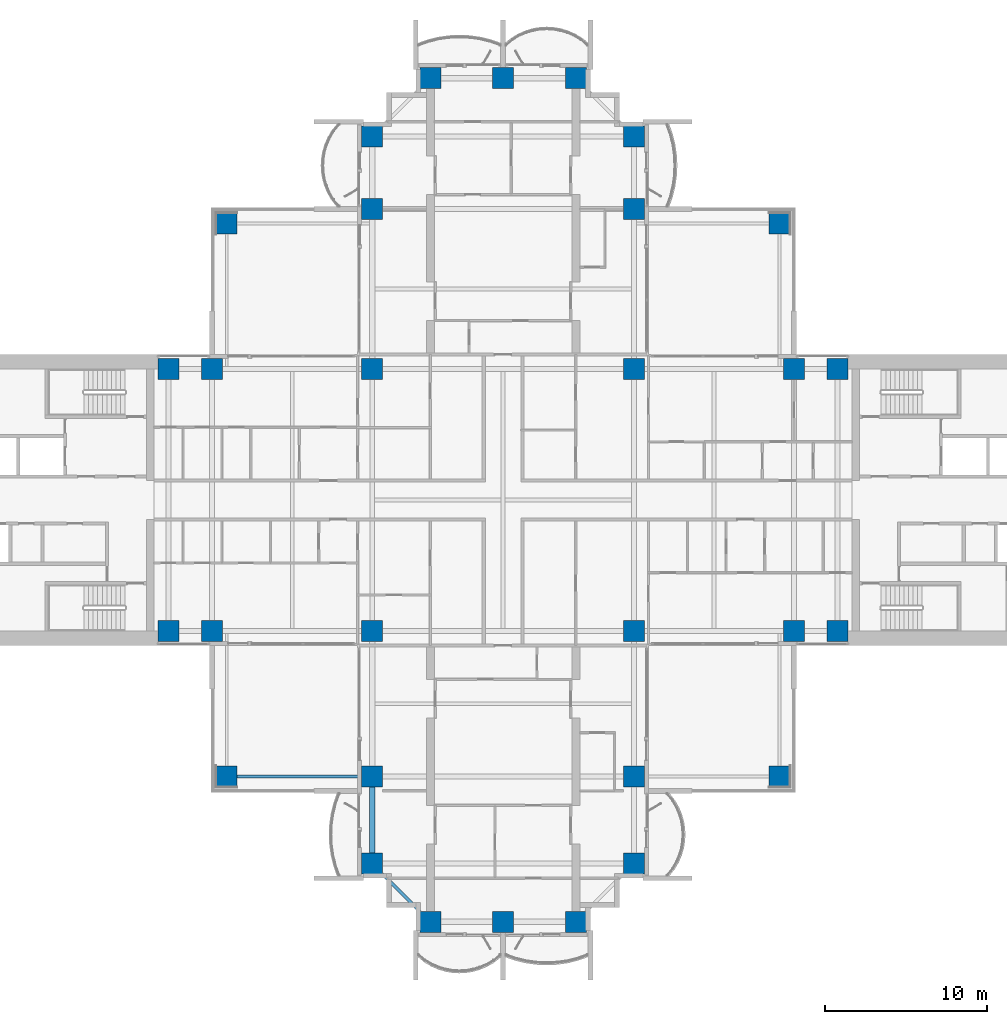
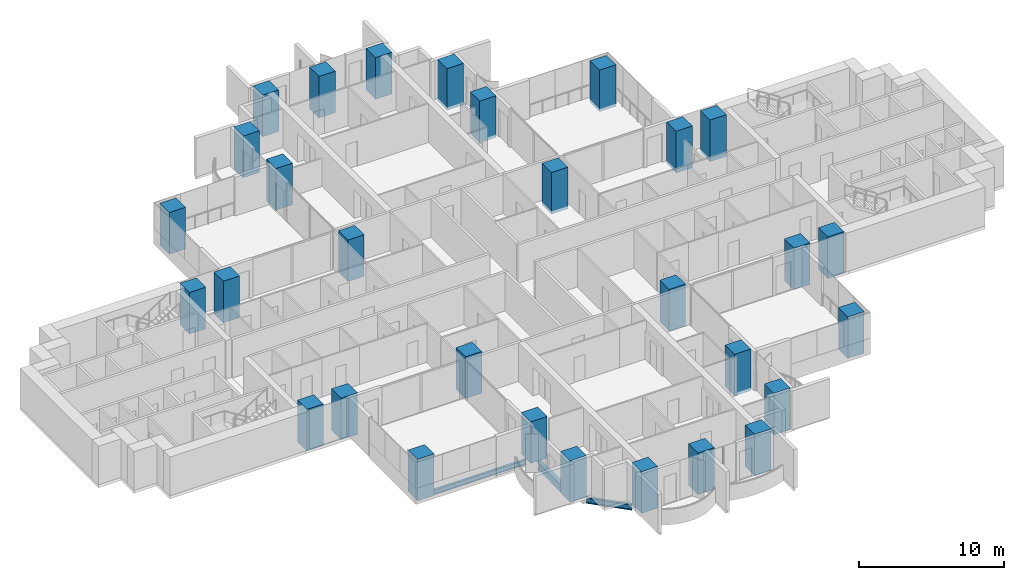
# One storey, part 1 of 20: 30 columns, 3 beams.
"""IFC4 building model written with IfcOpenShell, lengths in metres."""

from ifc_helpers import new_model, si_unit, direction, frame, origin, origin_2d, place, context, subcontext, project, spatial, rectangle, i_section, extrude, material, material_profile, profile_set, type_object, element, save


model = new_model("IFC4")

# Units and contexts
model_context = context("Model", 3, precision=1e-05, world=origin(), true_north=direction((0.0, 1.0)))
body_context = subcontext(model_context, "Body", "Model", "MODEL_VIEW")
ifc_project = project(units=[si_unit("LENGTHUNIT", "METRE"), si_unit("AREAUNIT", "SQUARE_METRE"), si_unit("VOLUMEUNIT", "CUBIC_METRE"), si_unit("PLANEANGLEUNIT", "RADIAN"), si_unit("MASSUNIT", "GRAM", prefix="KILO")], contexts=[model_context])

# Site, building, storey
site_placement = place(None, origin())
site = spatial("IfcSite", under=ifc_project, at=site_placement, CompositionType="ELEMENT")
building_placement = place(site_placement, origin())
building = spatial("IfcBuilding", under=site, at=building_placement, Name="Perihelion Cross Residences", CompositionType="ELEMENT")
storey_placement = place(building_placement, frame((0.0, 0.0, 68.0)))
storey = spatial("IfcBuildingStorey", under=building, at=storey_placement, Name="L14", CompositionType="ELEMENT", Elevation=68.0)

# Columns
ifc_material_1 = material(Name="Concrete C70/85", Category="concrete")
ifc_material_profile_1 = material_profile(ifc_material_1, rectangle(XDim=1.300048828125, YDim=1.300048828125, at=origin_2d()), Name="RC 1300x1300")
ifc_profile_set_1 = profile_set([ifc_material_profile_1], Name="Concrete C70/85")
column_type = type_object("IfcColumnType", Name="Reinforced concrete column 1300x1300 C70/85", PredefinedType="COLUMN", material=ifc_profile_set_1)
for number, where, z_axis, x_axis, name in (
    (1, (-20.699951171875, -8.10009765625, -0.25), (0.0, 0.0, 1.0), (1.0, 0.0, 0.0), "Column C017 L14 no. 1"),
    (2, (-20.699951171875, 8.10009765625, -0.25), (0.0, 0.0, 1.0), (1.0, 0.0, 0.0), "Column C010 L14 no. 1"),
    (3, (-18.0, -8.10009765625, -0.25), (0.0, 0.0, 1.0), (1.0, 0.0, 0.0), "Column C018 L14 no. 1"),
    (4, (-18.0, 8.10009765625, -0.25), (0.0, 0.0, 1.0), (1.0, 0.0, 0.0), "Column C011 L14 no. 1"),
    (5, (-8.10009765625, -22.5, -0.25), (0.0, 0.0, 1.0), (1.0, 0.0, 0.0), "Column C040 L14 no. 1"),
    (6, (-8.10009765625, -17.10009765625, -0.25), (0.0, 0.0, 1.0), (1.0, 0.0, 0.0), "Column C031 L14 no. 1"),
    (7, (-8.10009765625, -8.10009765625, -0.25), (0.0, 0.0, 1.0), (1.0, 0.0, 0.0), "Column C019 L14 no. 1"),
    (8, (-8.10009765625, 8.10009765625, -0.25), (0.0, 0.0, 1.0), (1.0, 0.0, 0.0), "Column C012 L14 no. 1"),
    (9, (-8.10009765625, 18.0, -0.25), (0.0, 0.0, 1.0), (1.0, 0.0, 0.0), "Column C006 L14 no. 1"),
    (10, (-8.10009765625, 22.5, -0.25), (0.0, 0.0, 1.0), (1.0, 0.0, 0.0), "Column C004 L14 no. 1"),
    (11, (-4.5, -26.10009765625, -0.25), (0.0, 0.0, 1.0), (1.0, 0.0, 0.0), "Column C042 L14 no. 1"),
    (12, (-4.5, 26.10009765625, -0.25), (0.0, 0.0, 1.0), (1.0, 0.0, 0.0), "Column C001 L14 no. 1"),
    (13, (0.0, -26.10009765625, -0.25), (0.0, 0.0, 1.0), (1.0, 0.0, 0.0), "Column C043 L14 no. 1"),
    (14, (0.0, 26.10009765625, -0.25), (0.0, 0.0, 1.0), (1.0, 0.0, 0.0), "Column C002 L14 no. 1"),
    (15, (4.5, -26.10009765625, -0.25), (0.0, 0.0, 1.0), (1.0, 0.0, 0.0), "Column C044 L14 no. 1"),
    (16, (4.5, 26.10009765625, -0.25), (0.0, 0.0, 1.0), (1.0, 0.0, 0.0), "Column C003 L14 no. 1"),
    (17, (8.10009765625, -22.5, -0.25), (0.0, 0.0, 1.0), (1.0, 0.0, 0.0), "Column C041 L14 no. 1"),
    (18, (8.10009765625, -17.10009765625, -0.25), (0.0, 0.0, 1.0), (1.0, 0.0, 0.0), "Column C035 L14 no. 1"),
    (19, (8.10009765625, -8.10009765625, -0.25), (0.0, 0.0, 1.0), (1.0, 0.0, 0.0), "Column C020 L14 no. 1"),
    (20, (8.10009765625, 8.10009765625, -0.25), (0.0, 0.0, 1.0), (1.0, 0.0, 0.0), "Column C014 L14 no. 1"),
    (21, (8.10009765625, 18.0, -0.25), (0.0, 0.0, 1.0), (1.0, 0.0, 0.0), "Column C007 L14 no. 1"),
    (22, (8.10009765625, 22.5, -0.25), (0.0, 0.0, 1.0), (1.0, 0.0, 0.0), "Column C005 L14 no. 1"),
    (23, (18.0, -8.10009765625, -0.25), (0.0, 0.0, 1.0), (1.0, 0.0, 0.0), "Column C021 L14 no. 1"),
    (24, (18.0, 8.10009765625, -0.25), (0.0, 0.0, 1.0), (1.0, 0.0, 0.0), "Column C015 L14 no. 1"),
    (25, (20.699951171875, -8.10009765625, -0.25), (0.0, 0.0, 1.0), (1.0, 0.0, 0.0), "Column C022 L14 no. 1"),
    (26, (20.699951171875, 8.10009765625, -0.25), (0.0, 0.0, 1.0), (1.0, 0.0, 0.0), "Column C016 L14 no. 1"),
    (27, (17.10009765625, 17.10009765625, -0.25), (0.0, 0.0, 1.0), (1.0, 0.0, 0.0), "Column C009 L14 no. 1"),
    (28, (-17.10009765625, 17.10009765625, -0.25), (0.0, 0.0, 1.0), (1.0, 0.0, 0.0), "Column C008 L14 no. 1"),
    (29, (-17.10009765625, -17.10009765625, -0.25), (0.0, 0.0, 1.0), (1.0, 0.0, 0.0), "Column C030 L14 no. 1"),
    (30, (17.10009765625, -17.10009765625, -0.25), (0.0, 0.0, 1.0), (1.0, 0.0, 0.0), "Column C036 L14 no. 1"),
):
    element("IfcColumn", number, at=place(storey_placement, frame(where, z_axis=z_axis, x_axis=x_axis)), inside=storey, type_object=column_type, Name=name, PredefinedType="COLUMN", context=body_context, shape_type="SweptSolid", body=[
        extrude(rectangle(XDim=1.300048828125, YDim=1.300048828125, at=origin_2d()), origin(), (0.0, 0.0, 1.0), 3.5),
    ])

# Beams
ifc_material_2 = material(Name="Steel S355", Category="steel")
ifc_material_profile_2 = material_profile(ifc_material_2, i_section(OverallWidth=0.177978515625, OverallDepth=0.406005859375, WebThickness=0.0078125, FlangeThickness=0.0126953125, at=origin_2d()), Name="W410x60")
ifc_profile_set_2 = profile_set([ifc_material_profile_2], Name="Steel S355")
beam_type_1 = type_object("IfcBeamType", Name="Core edge beam W410x60", PredefinedType="BEAM", material=ifc_profile_set_2)
beam_1_placement = place(storey_placement, frame((-8.75, -17.10009765625, -0.452880859375), z_axis=(-1.0, 0.0, 0.0), x_axis=(0.0, -1.0, 0.0)))
element("IfcBeam", 31, at=beam_1_placement, inside=storey, type_object=beam_type_1, Name="Core edge beam TB2 L14 corner no. 2", PredefinedType="BEAM", context=body_context, shape_type="SweptSolid", body=[
    extrude(i_section(OverallWidth=0.177978515625, OverallDepth=0.406005859375, WebThickness=0.0078125, FlangeThickness=0.0126953125, at=origin_2d()), origin(), (0.0, 0.0, 1.0), 7.699951171875),
])
ifc_material_3 = material(Name="Steel S355", Category="steel")
ifc_material_profile_3 = material_profile(ifc_material_3, i_section(OverallWidth=0.324951171875, OverallDepth=0.616943359375, WebThickness=0.013916015625, FlangeThickness=0.021484375, at=origin_2d()), Name="W610x174")
ifc_profile_set_3 = profile_set([ifc_material_profile_3], Name="Steel S355")
beam_type_2 = type_object("IfcBeamType", Name="Edge beam W610x174", PredefinedType="SPANDREL", material=ifc_profile_set_3)
beam_2_placement = place(storey_placement, frame((-8.10009765625, -17.75, -0.55859375), z_axis=(0.0, -1.0, 0.0), x_axis=(1.0, 0.0, 0.0)))
element("IfcBeam", 32, at=beam_2_placement, inside=storey, type_object=beam_type_2, Name="Edge beam SB2 L14 no. 5", PredefinedType="SPANDREL", context=body_context, shape_type="SweptSolid", body=[
    extrude(i_section(OverallWidth=0.324951171875, OverallDepth=0.616943359375, WebThickness=0.013916015625, FlangeThickness=0.021484375, at=origin_2d()), origin(), (0.0, 0.0, 1.0), 4.10009765625),
])
ifc_material_4 = material(Name="Steel S355", Category="steel")
ifc_material_profile_4 = material_profile(ifc_material_4, i_section(OverallWidth=0.194091796875, OverallDepth=0.469970703125, WebThickness=0.0126953125, FlangeThickness=0.0205078125, at=origin_2d()), Name="W460x106")
ifc_profile_set_4 = profile_set([ifc_material_profile_4], Name="Steel S355")
beam_type_3 = type_object("IfcBeamType", Name="Serration edge beam W460x106", PredefinedType="BEAM", material=ifc_profile_set_4)
beam_3_placement = place(storey_placement, frame((-7.449951171875, -23.14990234375, -0.485107421875), z_axis=(0.707106781187, -0.707106781187, 0.0), x_axis=(0.707106781187, 0.707106781187, 0.0)))
element("IfcBeam", 33, at=beam_3_placement, inside=storey, type_object=beam_type_3, Name="Serration edge beam EB2 L14 no. 2", PredefinedType="BEAM", context=body_context, shape_type="SweptSolid", body=[
    extrude(i_section(OverallWidth=0.194091796875, OverallDepth=0.469970703125, WebThickness=0.0126953125, FlangeThickness=0.0205078125, at=origin_2d()), origin(), (0.0, 0.0, 1.0), 3.252685546875),
])

save(model, "model.ifc")
